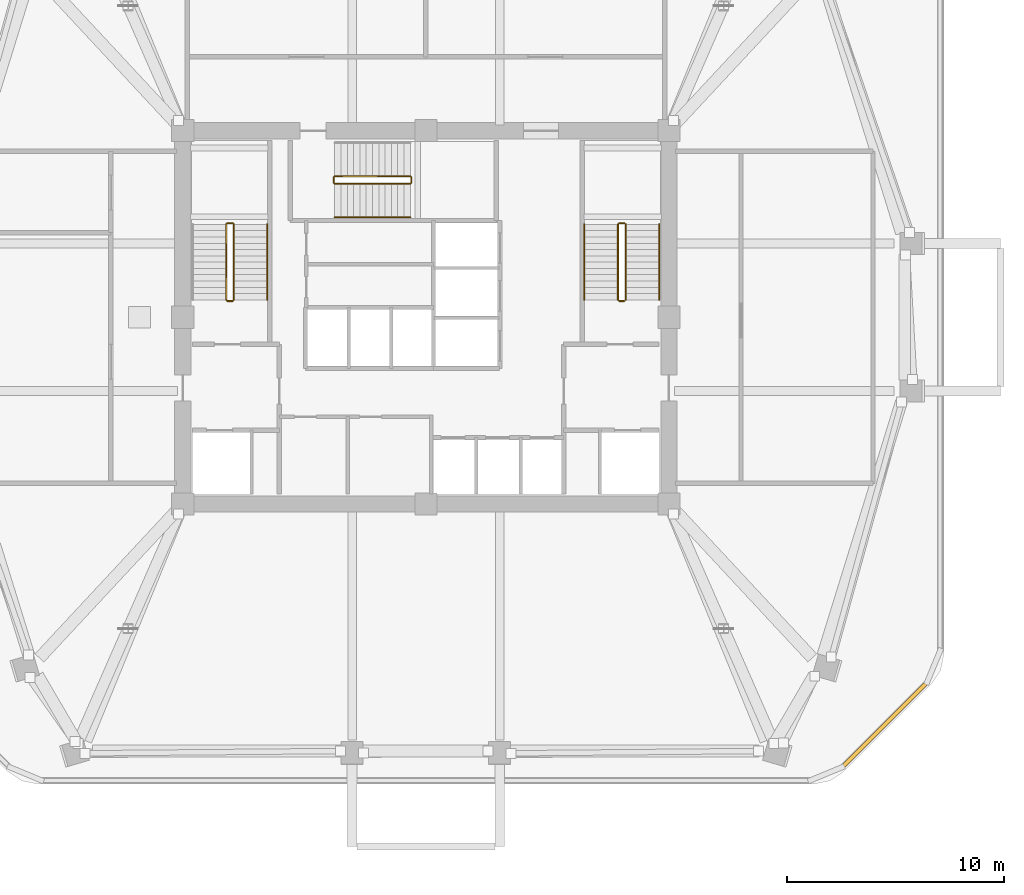
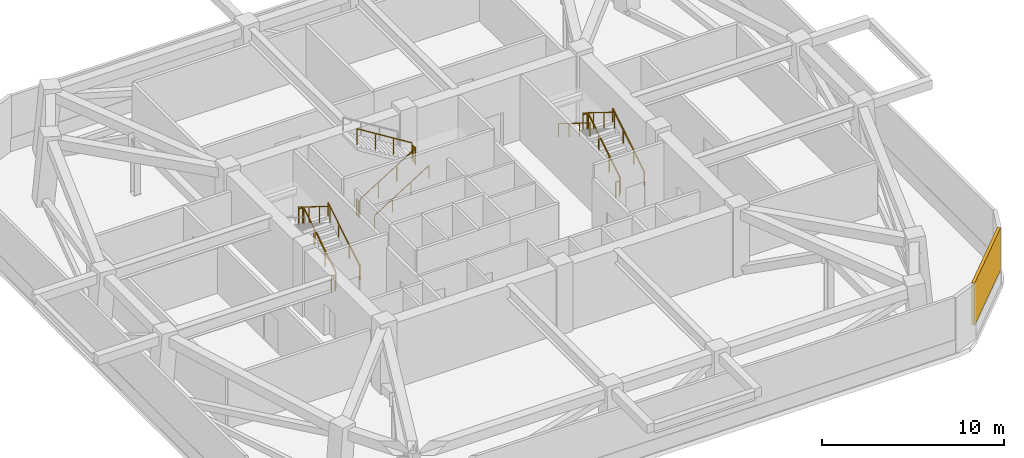
# One storey, part 7 of 8: 16 railings, 1 shading device.
"""IFC4 building model written with IfcOpenShell, lengths in metres."""

from ifc_helpers import new_model, si_unit, derived_unit, direction, frame, origin, origin_2d, place, context, subcontext, project, spatial, rectangle, extrude, material, layer, layer_set, type_object, element, save


model = new_model("IFC4")

# Units and contexts
model_context = context("Model", 3, precision=1e-05, world=origin(), true_north=direction((0.0, 1.0)))
body_context = subcontext(model_context, "Body", "Model", "MODEL_VIEW")
ifc_project = project(units=[si_unit("LENGTHUNIT", "METRE"), si_unit("AREAUNIT", "SQUARE_METRE"), si_unit("VOLUMEUNIT", "CUBIC_METRE"), si_unit("PLANEANGLEUNIT", "RADIAN"), si_unit("MASSUNIT", "GRAM", prefix="KILO"), derived_unit("THERMALTRANSMITTANCEUNIT", [(si_unit("POWERUNIT", "WATT"), 1), (si_unit("LENGTHUNIT", "METRE"), -2), (si_unit("THERMODYNAMICTEMPERATUREUNIT", "KELVIN"), -1)])], contexts=[model_context])

# Site, building, storey
site_placement = place(None, origin())
site = spatial("IfcSite", under=ifc_project, at=site_placement, CompositionType="ELEMENT")
building_placement = place(site_placement, origin())
building = spatial("IfcBuilding", under=site, at=building_placement, Name="Koralith Skygarden Medical Center", CompositionType="ELEMENT")
storey_placement = place(building_placement, frame((0.0, 0.0, 124.3798828125)))
storey = spatial("IfcBuildingStorey", under=building, at=storey_placement, Name="L32", CompositionType="ELEMENT", Elevation=124.3798828125)

# Shading device
ifc_material_1 = material(Name="Aluminium 6063-T6", Category="aluminium")
ifc_layer = layer(ifc_material_1, 0.179931640625)
ifc_layer_set = layer_set([ifc_layer], Name="Aluminium 6063-T6")
shading_device_type = type_object("IfcShadingDeviceType", Name="Mechanical Plant Acoustic Hurricane Louvre", PredefinedType="JALOUSIE", material=ifc_layer_set)
shading_device_placement = place(storey_placement, frame((58.135009765625, 7.1279296875, 0.900146484375), z_axis=(0.0, 0.0, 1.0), x_axis=(0.707106781187, 0.707106781187, 0.0)))
element("IfcShadingDevice", 1, at=shading_device_placement, inside=storey, type_object=shading_device_type, Name="L32 Plant Acoustic Hurricane Louvre SE", PredefinedType="JALOUSIE", context=body_context, shape_type="SweptSolid", body=[
    extrude(rectangle(XDim=5.548095703125, YDim=0.179931640625, at=origin_2d()), origin(), (0.0, 0.0, 1.0), 2.830078125),
])

# Railings
ifc_material_2 = material(Name="Steel ASTM A500 Grade C", Category="steel")
railing_type_1 = type_object("IfcRailingType", Name="Stair Flight Tubular Handrail 920", PredefinedType="HANDRAIL", material=ifc_material_2)
for number, where, name in (
    (2, (29.699951171875, 26.699951171875, 0.18017578125), "L32 ST1 stair handrail 1"),
    (3, (47.75, 26.699951171875, 0.18017578125), "L32 ST2 stair handrail 1"),
):
    element("IfcRailing", number, at=place(storey_placement, frame(where)), inside=storey, type_object=railing_type_1, Name=name, PredefinedType="HANDRAIL", context=body_context, shape_type="SweptSolid", body=[
        extrude(rectangle(XDim=0.050048828125, YDim=0.050048828125, at=origin_2d()), frame((0.0, 0.001708984375, 0.89599609375), z_axis=(0.0, 0.849648454892, 0.527349507537), x_axis=(-1.0, 0.0, 0.0)), (0.0, 0.0, 1.0), 4.091796875),
        extrude(rectangle(XDim=0.0419921875, YDim=0.0419921875, at=origin_2d()), origin(), (0.0, 0.0, 1.0), 0.867919921875),
        extrude(rectangle(XDim=0.0419921875, YDim=0.0419921875, at=origin_2d()), frame((0.0, 1.159912109375, 0.719970703125)), (0.0, 0.0, 1.0), 0.867919921875),
        extrude(rectangle(XDim=0.0419921875, YDim=0.0419921875, at=origin_2d()), frame((0.0, 2.320068359375, 1.43994140625)), (0.0, 0.0, 1.0), 0.867919921875),
        extrude(rectangle(XDim=0.0419921875, YDim=0.0419921875, at=origin_2d()), frame((0.0, 3.47998046875, 2.159912109375)), (0.0, 0.0, 1.0), 0.867919921875),
    ])
railing_1_placement = place(storey_placement, frame((44.300048828125, 30.179931640625, 2.52001953125)))
element("IfcRailing", 4, at=railing_1_placement, inside=storey, type_object=railing_type_1, Name="L32 ST2 stair handrail 2", PredefinedType="HANDRAIL", context=body_context, shape_type="SweptSolid", body=[
    extrude(rectangle(XDim=0.050048828125, YDim=0.050048828125, at=origin_2d()), frame((0.0, -0.001708984375, 0.89599609375), z_axis=(0.0, -0.849621746706, 0.527392536471), x_axis=(1.0, 0.0, 0.0)), (0.0, 0.0, 1.0), 4.091796875),
    extrude(rectangle(XDim=0.0419921875, YDim=0.0419921875, at=origin_2d()), origin(), (0.0, 0.0, 1.0), 0.867919921875),
    extrude(rectangle(XDim=0.0419921875, YDim=0.0419921875, at=origin_2d()), frame((0.0, -1.159912109375, 0.719970703125)), (0.0, 0.0, 1.0), 0.867919921875),
    extrude(rectangle(XDim=0.0419921875, YDim=0.0419921875, at=origin_2d()), frame((0.0, -2.320068359375, 1.440185546875)), (0.0, 0.0, 1.0), 0.867919921875),
    extrude(rectangle(XDim=0.0419921875, YDim=0.0419921875, at=origin_2d()), frame((0.0, -3.47998046875, 2.16015625)), (0.0, 0.0, 1.0), 0.867919921875),
])
railing_2_placement = place(storey_placement, frame((32.800048828125, 30.5, 0.18017578125)))
element("IfcRailing", 5, at=railing_2_placement, inside=storey, type_object=railing_type_1, Name="L32 ST3 stair handrail 1", PredefinedType="HANDRAIL", context=body_context, shape_type="SweptSolid", body=[
    extrude(rectangle(XDim=0.050048828125, YDim=0.050048828125, at=origin_2d()), frame((0.001708984375, 0.0, 0.89599609375), z_axis=(0.849648454892, 0.0, 0.527349507537), x_axis=(0.0, 1.0, 0.0)), (0.0, 0.0, 1.0), 4.091796875),
    extrude(rectangle(XDim=0.0419921875, YDim=0.0419921875, at=origin_2d()), origin(), (0.0, 0.0, 1.0), 0.867919921875),
    extrude(rectangle(XDim=0.0419921875, YDim=0.0419921875, at=origin_2d()), frame((1.159912109375, 0.0, 0.719970703125)), (0.0, 0.0, 1.0), 0.867919921875),
    extrude(rectangle(XDim=0.0419921875, YDim=0.0419921875, at=origin_2d()), frame((2.320068359375, 0.0, 1.43994140625)), (0.0, 0.0, 1.0), 0.867919921875),
    extrude(rectangle(XDim=0.0419921875, YDim=0.0419921875, at=origin_2d()), frame((3.47998046875, 0.0, 2.159912109375)), (0.0, 0.0, 1.0), 0.867919921875),
])
railing_type_2 = type_object("IfcRailingType", Name="Stair Well Safety Guardrail 1100", PredefinedType="GUARDRAIL", material=ifc_material_2)
railing_3_placement = place(storey_placement, frame((28.14990234375, 26.699951171875, 0.18017578125)))
element("IfcRailing", 6, at=railing_3_placement, inside=storey, type_object=railing_type_2, Name="L32 ST1 stair guard 1", PredefinedType="GUARDRAIL", context=body_context, shape_type="SweptSolid", body=[
    extrude(rectangle(XDim=0.050048828125, YDim=0.050048828125, at=origin_2d()), frame((0.0, 0.001708984375, 1.076171875), z_axis=(0.0, 0.849648454892, 0.527349507537), x_axis=(-1.0, 0.0, 0.0)), (0.0, 0.0, 1.0), 4.091796875),
    extrude(rectangle(XDim=0.0419921875, YDim=0.0419921875, at=origin_2d()), origin(), (0.0, 0.0, 1.0), 1.048095703125),
    extrude(rectangle(XDim=0.0419921875, YDim=0.0419921875, at=origin_2d()), frame((0.0, 1.159912109375, 0.719970703125)), (0.0, 0.0, 1.0), 1.048095703125),
    extrude(rectangle(XDim=0.0419921875, YDim=0.0419921875, at=origin_2d()), frame((0.0, 2.320068359375, 1.43994140625)), (0.0, 0.0, 1.0), 1.048095703125),
    extrude(rectangle(XDim=0.0419921875, YDim=0.0419921875, at=origin_2d()), frame((0.0, 3.47998046875, 2.159912109375)), (0.0, 0.0, 1.0), 1.048095703125),
])
railing_4_placement = place(storey_placement, frame((28.10009765625, 30.22998046875, 2.340087890625)))
element("IfcRailing", 7, at=railing_4_placement, inside=storey, type_object=railing_type_2, Name="L32 ST1 stair guard 2", PredefinedType="GUARDRAIL", context=body_context, shape_type="SweptSolid", body=[
    extrude(rectangle(XDim=0.050048828125, YDim=0.050048828125, at=origin_2d()), frame((-0.001953125, 0.0, 1.0751953125), z_axis=(-1.0, 0.0, 0.0), x_axis=(0.0, -1.0, 0.0)), (0.0, 0.0, 1.0), 0.24609375),
    extrude(rectangle(XDim=0.0419921875, YDim=0.0419921875, at=origin_2d()), origin(), (0.0, 0.0, 1.0), 1.048095703125),
    extrude(rectangle(XDim=0.0419921875, YDim=0.0419921875, at=origin_2d()), frame((-0.25, 0.0, 0.0)), (0.0, 0.0, 1.0), 1.048095703125),
])
railing_5_placement = place(storey_placement, frame((27.800048828125, 30.179931640625, 2.52001953125)))
element("IfcRailing", 8, at=railing_5_placement, inside=storey, type_object=railing_type_2, Name="L32 ST1 stair guard 3", PredefinedType="GUARDRAIL", context=body_context, shape_type="SweptSolid", body=[
    extrude(rectangle(XDim=0.050048828125, YDim=0.050048828125, at=origin_2d()), frame((0.0, -0.001708984375, 1.076171875), z_axis=(0.0, -0.849621746706, 0.527392536471), x_axis=(1.0, 0.0, 0.0)), (0.0, 0.0, 1.0), 4.091796875),
    extrude(rectangle(XDim=0.0419921875, YDim=0.0419921875, at=origin_2d()), origin(), (0.0, 0.0, 1.0), 1.048095703125),
    extrude(rectangle(XDim=0.0419921875, YDim=0.0419921875, at=origin_2d()), frame((0.0, -1.159912109375, 0.719970703125)), (0.0, 0.0, 1.0), 1.048095703125),
    extrude(rectangle(XDim=0.0419921875, YDim=0.0419921875, at=origin_2d()), frame((0.0, -2.320068359375, 1.440185546875)), (0.0, 0.0, 1.0), 1.048095703125),
    extrude(rectangle(XDim=0.0419921875, YDim=0.0419921875, at=origin_2d()), frame((0.0, -3.47998046875, 2.16015625)), (0.0, 0.0, 1.0), 1.048095703125),
])
railing_6_placement = place(storey_placement, frame((28.10009765625, 26.64990234375, 0.0)))
element("IfcRailing", 9, at=railing_6_placement, inside=storey, type_object=railing_type_2, Name="L32 ST1 stair guard 4", PredefinedType="GUARDRAIL", context=body_context, shape_type="SweptSolid", body=[
    extrude(rectangle(XDim=0.050048828125, YDim=0.050048828125, at=origin_2d()), frame((-0.001953125, 0.0, 1.0751953125), z_axis=(-1.0, 0.0, 0.0), x_axis=(0.0, -1.0, 0.0)), (0.0, 0.0, 1.0), 0.24609375),
    extrude(rectangle(XDim=0.0419921875, YDim=0.0419921875, at=origin_2d()), origin(), (0.0, 0.0, 1.0), 1.048095703125),
    extrude(rectangle(XDim=0.0419921875, YDim=0.0419921875, at=origin_2d()), frame((-0.25, 0.0, 0.0)), (0.0, 0.0, 1.0), 1.048095703125),
])
railing_7_placement = place(storey_placement, frame((46.199951171875, 26.699951171875, 0.18017578125)))
element("IfcRailing", 10, at=railing_7_placement, inside=storey, type_object=railing_type_2, Name="L32 ST2 stair guard 1", PredefinedType="GUARDRAIL", context=body_context, shape_type="SweptSolid", body=[
    extrude(rectangle(XDim=0.050048828125, YDim=0.050048828125, at=origin_2d()), frame((0.0, 0.001708984375, 1.076171875), z_axis=(0.0, 0.849648454892, 0.527349507537), x_axis=(-1.0, 0.0, 0.0)), (0.0, 0.0, 1.0), 4.091796875),
    extrude(rectangle(XDim=0.0419921875, YDim=0.0419921875, at=origin_2d()), origin(), (0.0, 0.0, 1.0), 1.048095703125),
    extrude(rectangle(XDim=0.0419921875, YDim=0.0419921875, at=origin_2d()), frame((0.0, 1.159912109375, 0.719970703125)), (0.0, 0.0, 1.0), 1.048095703125),
    extrude(rectangle(XDim=0.0419921875, YDim=0.0419921875, at=origin_2d()), frame((0.0, 2.320068359375, 1.43994140625)), (0.0, 0.0, 1.0), 1.048095703125),
    extrude(rectangle(XDim=0.0419921875, YDim=0.0419921875, at=origin_2d()), frame((0.0, 3.47998046875, 2.159912109375)), (0.0, 0.0, 1.0), 1.048095703125),
])
railing_8_placement = place(storey_placement, frame((46.14990234375, 30.22998046875, 2.340087890625)))
element("IfcRailing", 11, at=railing_8_placement, inside=storey, type_object=railing_type_2, Name="L32 ST2 stair guard 2", PredefinedType="GUARDRAIL", context=body_context, shape_type="SweptSolid", body=[
    extrude(rectangle(XDim=0.050048828125, YDim=0.050048828125, at=origin_2d()), frame((-0.001953125, 0.0, 1.0751953125), z_axis=(-1.0, 0.0, 0.0), x_axis=(0.0, -1.0, 0.0)), (0.0, 0.0, 1.0), 0.24609375),
    extrude(rectangle(XDim=0.0419921875, YDim=0.0419921875, at=origin_2d()), origin(), (0.0, 0.0, 1.0), 1.048095703125),
    extrude(rectangle(XDim=0.0419921875, YDim=0.0419921875, at=origin_2d()), frame((-0.25, 0.0, 0.0)), (0.0, 0.0, 1.0), 1.048095703125),
])
railing_9_placement = place(storey_placement, frame((45.85009765625, 30.179931640625, 2.52001953125)))
element("IfcRailing", 12, at=railing_9_placement, inside=storey, type_object=railing_type_2, Name="L32 ST2 stair guard 3", PredefinedType="GUARDRAIL", context=body_context, shape_type="SweptSolid", body=[
    extrude(rectangle(XDim=0.050048828125, YDim=0.050048828125, at=origin_2d()), frame((0.0, -0.001708984375, 1.076171875), z_axis=(0.0, -0.849621746706, 0.527392536471), x_axis=(1.0, 0.0, 0.0)), (0.0, 0.0, 1.0), 4.091796875),
    extrude(rectangle(XDim=0.0419921875, YDim=0.0419921875, at=origin_2d()), origin(), (0.0, 0.0, 1.0), 1.048095703125),
    extrude(rectangle(XDim=0.0419921875, YDim=0.0419921875, at=origin_2d()), frame((0.0, -1.159912109375, 0.719970703125)), (0.0, 0.0, 1.0), 1.048095703125),
    extrude(rectangle(XDim=0.0419921875, YDim=0.0419921875, at=origin_2d()), frame((0.0, -2.320068359375, 1.440185546875)), (0.0, 0.0, 1.0), 1.048095703125),
    extrude(rectangle(XDim=0.0419921875, YDim=0.0419921875, at=origin_2d()), frame((0.0, -3.47998046875, 2.16015625)), (0.0, 0.0, 1.0), 1.048095703125),
])
railing_10_placement = place(storey_placement, frame((46.14990234375, 26.64990234375, 0.0)))
element("IfcRailing", 13, at=railing_10_placement, inside=storey, type_object=railing_type_2, Name="L32 ST2 stair guard 4", PredefinedType="GUARDRAIL", context=body_context, shape_type="SweptSolid", body=[
    extrude(rectangle(XDim=0.050048828125, YDim=0.050048828125, at=origin_2d()), frame((-0.001953125, 0.0, 1.0751953125), z_axis=(-1.0, 0.0, 0.0), x_axis=(0.0, -1.0, 0.0)), (0.0, 0.0, 1.0), 0.24609375),
    extrude(rectangle(XDim=0.0419921875, YDim=0.0419921875, at=origin_2d()), origin(), (0.0, 0.0, 1.0), 1.048095703125),
    extrude(rectangle(XDim=0.0419921875, YDim=0.0419921875, at=origin_2d()), frame((-0.25, 0.0, 0.0)), (0.0, 0.0, 1.0), 1.048095703125),
])
railing_11_placement = place(storey_placement, frame((32.800048828125, 32.050048828125, 0.18017578125)))
element("IfcRailing", 14, at=railing_11_placement, inside=storey, type_object=railing_type_2, Name="L32 ST3 stair guard 1", PredefinedType="GUARDRAIL", context=body_context, shape_type="SweptSolid", body=[
    extrude(rectangle(XDim=0.050048828125, YDim=0.050048828125, at=origin_2d()), frame((0.001708984375, 0.0, 1.076171875), z_axis=(0.849648454892, 0.0, 0.527349507537), x_axis=(0.0, 1.0, 0.0)), (0.0, 0.0, 1.0), 4.091796875),
    extrude(rectangle(XDim=0.0419921875, YDim=0.0419921875, at=origin_2d()), origin(), (0.0, 0.0, 1.0), 1.048095703125),
    extrude(rectangle(XDim=0.0419921875, YDim=0.0419921875, at=origin_2d()), frame((1.159912109375, 0.0, 0.719970703125)), (0.0, 0.0, 1.0), 1.048095703125),
    extrude(rectangle(XDim=0.0419921875, YDim=0.0419921875, at=origin_2d()), frame((2.320068359375, 0.0, 1.43994140625)), (0.0, 0.0, 1.0), 1.048095703125),
    extrude(rectangle(XDim=0.0419921875, YDim=0.0419921875, at=origin_2d()), frame((3.47998046875, 0.0, 2.159912109375)), (0.0, 0.0, 1.0), 1.048095703125),
])
railing_12_placement = place(storey_placement, frame((36.330078125, 32.10009765625, 2.340087890625)))
element("IfcRailing", 15, at=railing_12_placement, inside=storey, type_object=railing_type_2, Name="L32 ST3 stair guard 2", PredefinedType="GUARDRAIL", context=body_context, shape_type="SweptSolid", body=[
    extrude(rectangle(XDim=0.050048828125, YDim=0.050048828125, at=origin_2d()), frame((0.0, 0.001953125, 1.0751953125), z_axis=(0.0, 1.0, 0.0), x_axis=(-1.0, 0.0, 0.0)), (0.0, 0.0, 1.0), 0.24609375),
    extrude(rectangle(XDim=0.0419921875, YDim=0.0419921875, at=origin_2d()), origin(), (0.0, 0.0, 1.0), 1.048095703125),
    extrude(rectangle(XDim=0.0419921875, YDim=0.0419921875, at=origin_2d()), frame((0.0, 0.25, 0.0)), (0.0, 0.0, 1.0), 1.048095703125),
])
railing_13_placement = place(storey_placement, frame((36.280029296875, 32.39990234375, 2.52001953125)))
element("IfcRailing", 16, at=railing_13_placement, inside=storey, type_object=railing_type_2, Name="L32 ST3 stair guard 3", PredefinedType="GUARDRAIL", context=body_context, shape_type="SweptSolid", body=[
    extrude(rectangle(XDim=0.050048828125, YDim=0.050048828125, at=origin_2d()), frame((-0.001708984375, 0.0, 1.076171875), z_axis=(-0.849621746706, 0.0, 0.527392536471), x_axis=(0.0, -1.0, 0.0)), (0.0, 0.0, 1.0), 4.091796875),
    extrude(rectangle(XDim=0.0419921875, YDim=0.0419921875, at=origin_2d()), origin(), (0.0, 0.0, 1.0), 1.048095703125),
    extrude(rectangle(XDim=0.0419921875, YDim=0.0419921875, at=origin_2d()), frame((-1.159912109375, 0.0, 0.719970703125)), (0.0, 0.0, 1.0), 1.048095703125),
    extrude(rectangle(XDim=0.0419921875, YDim=0.0419921875, at=origin_2d()), frame((-2.320068359375, 0.0, 1.440185546875)), (0.0, 0.0, 1.0), 1.048095703125),
    extrude(rectangle(XDim=0.0419921875, YDim=0.0419921875, at=origin_2d()), frame((-3.47998046875, 0.0, 2.16015625)), (0.0, 0.0, 1.0), 1.048095703125),
])
railing_14_placement = place(storey_placement, frame((32.75, 32.10009765625, 0.0)))
element("IfcRailing", 17, at=railing_14_placement, inside=storey, type_object=railing_type_2, Name="L32 ST3 stair guard 4", PredefinedType="GUARDRAIL", context=body_context, shape_type="SweptSolid", body=[
    extrude(rectangle(XDim=0.050048828125, YDim=0.050048828125, at=origin_2d()), frame((0.0, 0.001953125, 1.0751953125), z_axis=(0.0, 1.0, 0.0), x_axis=(-1.0, 0.0, 0.0)), (0.0, 0.0, 1.0), 0.24609375),
    extrude(rectangle(XDim=0.0419921875, YDim=0.0419921875, at=origin_2d()), origin(), (0.0, 0.0, 1.0), 1.048095703125),
    extrude(rectangle(XDim=0.0419921875, YDim=0.0419921875, at=origin_2d()), frame((0.0, 0.25, 0.0)), (0.0, 0.0, 1.0), 1.048095703125),
])

save(model, "model.ifc")
